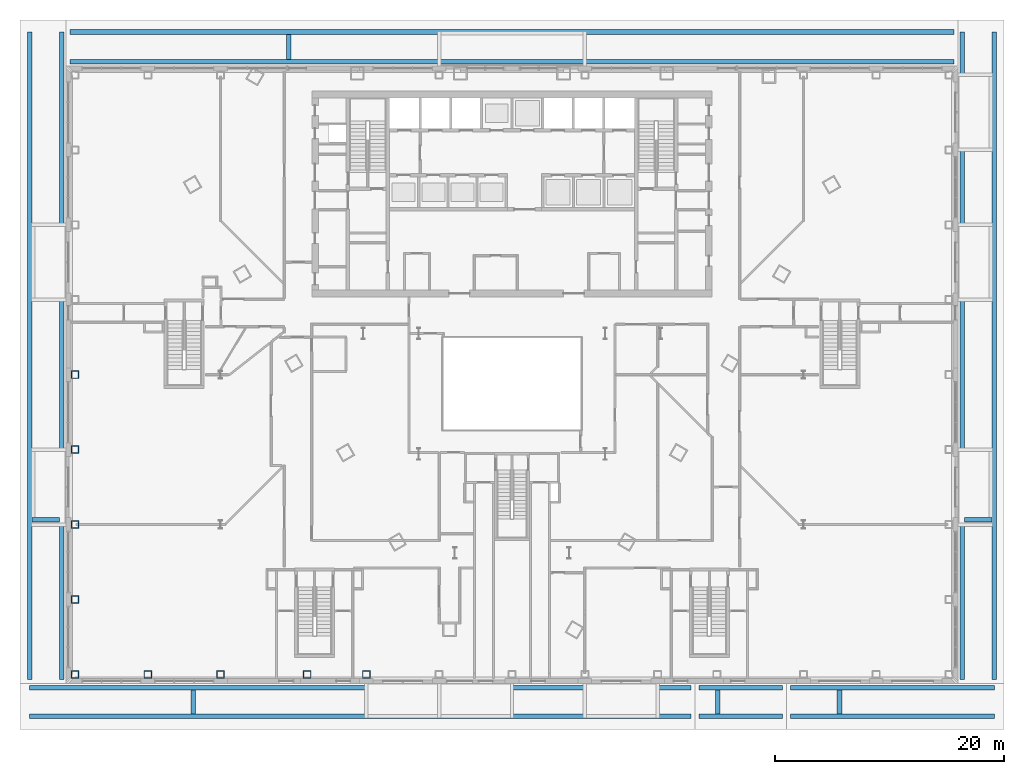
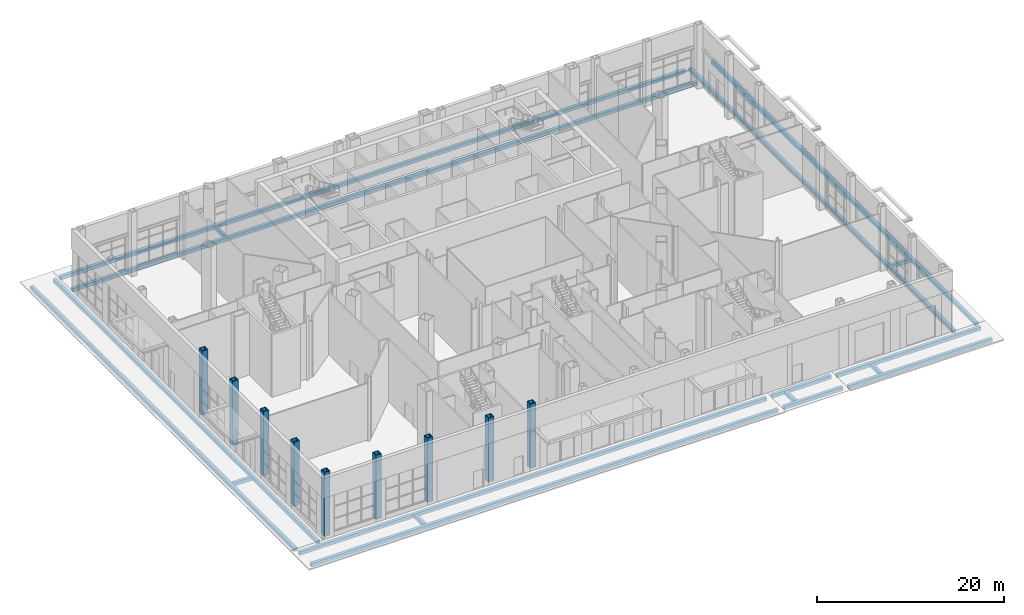
# One storey, part 1 of 34: 18 footings, 9 columns.
"""IFC4 building model written with IfcOpenShell, lengths in metres."""

from ifc_helpers import new_model, si_unit, direction, frame, origin, origin_2d, place, context, subcontext, project, spatial, polyline, hollow_rectangle, outline, extrude, material, layer, layer_set, material_profile, profile_set, type_object, element, save


model = new_model("IFC4")

# Units and contexts
model_context = context("Model", 3, precision=1e-05, world=origin(), true_north=direction((0.0, 1.0)))
body_context = subcontext(model_context, "Body", "Model", "MODEL_VIEW")
ifc_project = project(units=[si_unit("LENGTHUNIT", "METRE"), si_unit("AREAUNIT", "SQUARE_METRE"), si_unit("VOLUMEUNIT", "CUBIC_METRE"), si_unit("PLANEANGLEUNIT", "RADIAN"), si_unit("MASSUNIT", "GRAM", prefix="KILO")], contexts=[model_context])

# Site, building, storey
site_placement = place(None, origin())
site = spatial("IfcSite", under=ifc_project, at=site_placement, CompositionType="ELEMENT")
building_placement = place(site_placement, origin())
building = spatial("IfcBuilding", under=site, at=building_placement, Name="Njiva Tower", CompositionType="ELEMENT")
storey_placement = place(building_placement, origin())
storey = spatial("IfcBuildingStorey", under=building, at=storey_placement, Name="L00", CompositionType="ELEMENT", Elevation=0.0)

# Footings
ifc_material_1 = material(Name="Concrete C30/37", Category="concrete")
ifc_layer = layer(ifc_material_1, 0.45)
ifc_layer_set = layer_set([ifc_layer], Name="Concrete C30/37")
footing_type = type_object("IfcFootingType", Name="FT90 Paving edge beam 400x450", PredefinedType="STRIP_FOOTING", material=ifc_layer_set)
footing_1_placement = place(storey_placement, frame((0.0, 0.0, -0.6)))
element("IfcFooting", 1, at=footing_1_placement, inside=storey, type_object=footing_type, Name="Paving edge beam", PredefinedType="STRIP_FOOTING", context=body_context, shape_type="SweptSolid", body=[
    extrude(outline(polyline([(15.65, -36.85), (15.65, -36.45), (-42.15, -36.45), (-42.15, -36.85), (15.65, -36.85)])), origin(), (0.0, 0.0, 1.0), 0.45),
])
footing_2_placement = place(storey_placement, frame((0.0, 0.0, -0.6)))
element("IfcFooting", 2, at=footing_2_placement, inside=storey, type_object=footing_type, Name="Paving edge beam", PredefinedType="STRIP_FOOTING", context=body_context, shape_type="SweptSolid", body=[
    extrude(outline(polyline([(15.65, -34.35), (15.65, -33.95), (-42.15, -33.95), (-42.15, -34.35), (15.65, -34.35)])), origin(), (0.0, 0.0, 1.0), 0.45),
])
footing_3_placement = place(storey_placement, frame((0.0, 0.0, -0.6)))
element("IfcFooting", 3, at=footing_3_placement, inside=storey, type_object=footing_type, Name="Paving edge beam", PredefinedType="STRIP_FOOTING", context=body_context, shape_type="SweptSolid", body=[
    extrude(outline(polyline([(-27.675, -36.45), (-27.675, -34.35), (-28.075, -34.35), (-28.075, -36.45), (-27.675, -36.45)])), origin(), (0.0, 0.0, 1.0), 0.45),
])
footing_4_placement = place(storey_placement, frame((0.0, 0.0, -0.51)))
element("IfcFooting", 4, at=footing_4_placement, inside=storey, type_object=footing_type, Name="Paving edge beam", PredefinedType="STRIP_FOOTING", context=body_context, shape_type="SweptSolid", body=[
    extrude(outline(polyline([(23.65, -36.85), (23.65, -36.45), (16.35, -36.45), (16.35, -36.85), (23.65, -36.85)])), origin(), (0.0, 0.0, 1.0), 0.45),
])
footing_5_placement = place(storey_placement, frame((0.0, 0.0, -0.51)))
element("IfcFooting", 5, at=footing_5_placement, inside=storey, type_object=footing_type, Name="Paving edge beam", PredefinedType="STRIP_FOOTING", context=body_context, shape_type="SweptSolid", body=[
    extrude(outline(polyline([(23.65, -34.35), (23.65, -33.95), (16.35, -33.95), (16.35, -34.35), (23.65, -34.35)])), origin(), (0.0, 0.0, 1.0), 0.45),
])
footing_6_placement = place(storey_placement, frame((0.0, 0.0, -0.51)))
element("IfcFooting", 6, at=footing_6_placement, inside=storey, type_object=footing_type, Name="Paving edge beam", PredefinedType="STRIP_FOOTING", context=body_context, shape_type="SweptSolid", body=[
    extrude(outline(polyline([(18.2, -36.45), (18.2, -34.35), (17.8, -34.35), (17.8, -36.45), (18.2, -36.45)])), origin(), (0.0, 0.0, 1.0), 0.45),
])
footing_7_placement = place(storey_placement, frame((0.0, 0.0, -0.63)))
element("IfcFooting", 7, at=footing_7_placement, inside=storey, type_object=footing_type, Name="Paving edge beam", PredefinedType="STRIP_FOOTING", context=body_context, shape_type="SweptSolid", body=[
    extrude(outline(polyline([(42.15, -36.85), (42.15, -36.45), (24.35, -36.45), (24.35, -36.85), (42.15, -36.85)])), origin(), (0.0, 0.0, 1.0), 0.45),
])
footing_8_placement = place(storey_placement, frame((0.0, 0.0, -0.63)))
element("IfcFooting", 8, at=footing_8_placement, inside=storey, type_object=footing_type, Name="Paving edge beam", PredefinedType="STRIP_FOOTING", context=body_context, shape_type="SweptSolid", body=[
    extrude(outline(polyline([(42.15, -34.35), (42.15, -33.95), (24.35, -33.95), (24.35, -34.35), (42.15, -34.35)])), origin(), (0.0, 0.0, 1.0), 0.45),
])
footing_9_placement = place(storey_placement, frame((0.0, 0.0, -0.63)))
element("IfcFooting", 9, at=footing_9_placement, inside=storey, type_object=footing_type, Name="Paving edge beam", PredefinedType="STRIP_FOOTING", context=body_context, shape_type="SweptSolid", body=[
    extrude(outline(polyline([(28.825, -36.45), (28.825, -34.35), (28.425, -34.35), (28.425, -36.45), (28.825, -36.45)])), origin(), (0.0, 0.0, 1.0), 0.45),
])
footing_10_placement = place(storey_placement, frame((0.0, 0.0, -0.55)))
element("IfcFooting", 10, at=footing_10_placement, inside=storey, type_object=footing_type, Name="Paving edge beam", PredefinedType="STRIP_FOOTING", context=body_context, shape_type="SweptSolid", body=[
    extrude(outline(polyline([(39.55, -33.45), (39.55, 23.15), (39.15, 23.15), (39.15, -33.45), (39.55, -33.45)])), origin(), (0.0, 0.0, 1.0), 0.45),
])
footing_11_placement = place(storey_placement, frame((0.0, 0.0, -0.55)))
element("IfcFooting", 11, at=footing_11_placement, inside=storey, type_object=footing_type, Name="Paving edge beam", PredefinedType="STRIP_FOOTING", context=body_context, shape_type="SweptSolid", body=[
    extrude(outline(polyline([(42.35, -33.45), (42.35, 23.15), (41.95, 23.15), (41.95, -33.45), (42.35, -33.45)])), origin(), (0.0, 0.0, 1.0), 0.45),
])
footing_12_placement = place(storey_placement, frame((0.0, 0.0, -0.55)))
element("IfcFooting", 12, at=footing_12_placement, inside=storey, type_object=footing_type, Name="Paving edge beam", PredefinedType="STRIP_FOOTING", context=body_context, shape_type="SweptSolid", body=[
    extrude(outline(polyline([(41.95, -19.675), (41.95, -19.275), (39.55, -19.275), (39.55, -19.675), (41.95, -19.675)])), origin(), (0.0, 0.0, 1.0), 0.45),
])
footing_13_placement = place(storey_placement, frame((0.0, 0.0, -0.53)))
element("IfcFooting", 13, at=footing_13_placement, inside=storey, type_object=footing_type, Name="Paving edge beam", PredefinedType="STRIP_FOOTING", context=body_context, shape_type="SweptSolid", body=[
    extrude(outline(polyline([(38.65, 20.35), (38.65, 20.75), (-38.65, 20.75), (-38.65, 20.35), (38.65, 20.35)])), origin(), (0.0, 0.0, 1.0), 0.45),
])
footing_14_placement = place(storey_placement, frame((0.0, 0.0, -0.53)))
element("IfcFooting", 14, at=footing_14_placement, inside=storey, type_object=footing_type, Name="Paving edge beam", PredefinedType="STRIP_FOOTING", context=body_context, shape_type="SweptSolid", body=[
    extrude(outline(polyline([(38.65, 22.95), (38.65, 23.35), (-38.65, 23.35), (-38.65, 22.95), (38.65, 22.95)])), origin(), (0.0, 0.0, 1.0), 0.45),
])
footing_15_placement = place(storey_placement, frame((0.0, 0.0, -0.53)))
element("IfcFooting", 15, at=footing_15_placement, inside=storey, type_object=footing_type, Name="Paving edge beam", PredefinedType="STRIP_FOOTING", context=body_context, shape_type="SweptSolid", body=[
    extrude(outline(polyline([(-19.3, 20.75), (-19.3, 22.95), (-19.7, 22.95), (-19.7, 20.75), (-19.3, 20.75)])), origin(), (0.0, 0.0, 1.0), 0.45),
])
footing_16_placement = place(storey_placement, frame((0.0, 0.0, -0.57)))
element("IfcFooting", 16, at=footing_16_placement, inside=storey, type_object=footing_type, Name="Paving edge beam", PredefinedType="STRIP_FOOTING", context=body_context, shape_type="SweptSolid", body=[
    extrude(outline(polyline([(-41.95, -33.45), (-41.95, 23.15), (-42.35, 23.15), (-42.35, -33.45), (-41.95, -33.45)])), origin(), (0.0, 0.0, 1.0), 0.45),
])
footing_17_placement = place(storey_placement, frame((0.0, 0.0, -0.57)))
element("IfcFooting", 17, at=footing_17_placement, inside=storey, type_object=footing_type, Name="Paving edge beam", PredefinedType="STRIP_FOOTING", context=body_context, shape_type="SweptSolid", body=[
    extrude(outline(polyline([(-39.15, -33.45), (-39.15, 23.15), (-39.55, 23.15), (-39.55, -33.45), (-39.15, -33.45)])), origin(), (0.0, 0.0, 1.0), 0.45),
])
footing_18_placement = place(storey_placement, frame((0.0, 0.0, -0.57)))
element("IfcFooting", 18, at=footing_18_placement, inside=storey, type_object=footing_type, Name="Paving edge beam", PredefinedType="STRIP_FOOTING", context=body_context, shape_type="SweptSolid", body=[
    extrude(outline(polyline([(-39.55, -19.675), (-39.55, -19.275), (-41.95, -19.275), (-41.95, -19.675), (-39.55, -19.675)])), origin(), (0.0, 0.0, 1.0), 0.45),
])

# Columns
ifc_material_2 = material(Name="Steel S355 J2", Category="steel")
ifc_material_profile = material_profile(ifc_material_2, hollow_rectangle(XDim=0.7, YDim=0.7, WallThickness=0.08, at=origin_2d()), Name="BOX 700x700x80")
ifc_profile_set = profile_set([ifc_material_profile], Name="Steel S355 J2")
column_type = type_object("IfcColumnType", Name="C3 Podium perimeter column BOX 700x700x80", PredefinedType="COLUMN", material=ifc_profile_set)
for number, where, z_axis, x_axis, name in (
    (19, (-38.2, -6.8, 0.0), (0.0, 0.0, 1.0), (0.0, -1.0, 0.0), "Podium perimeter column L00-C46"),
    (20, (-38.2, -13.35, 0.0), (0.0, 0.0, 1.0), (0.0, -1.0, 0.0), "Podium perimeter column L00-C47"),
    (21, (-38.2, -19.9, 0.0), (0.0, 0.0, 1.0), (0.0, -1.0, 0.0), "Podium perimeter column L00-C48"),
    (22, (-38.2, -26.45, 0.0), (0.0, 0.0, 1.0), (0.0, -1.0, 0.0), "Podium perimeter column L00-C49"),
    (23, (-38.2, -33.0, 0.0), (0.0, 0.0, 1.0), (1.0, 0.0, 0.0), "Podium perimeter column L00-C50"),
    (24, (-31.833, -33.0, 0.0), (0.0, 0.0, 1.0), (1.0, 0.0, 0.0), "Podium perimeter column L00-C51"),
    (25, (-25.467, -33.0, 0.0), (0.0, 0.0, 1.0), (1.0, 0.0, 0.0), "Podium perimeter column L00-C52"),
    (26, (-17.9, -33.0, 0.0), (0.0, 0.0, 1.0), (1.0, 0.0, 0.0), "Podium perimeter column L00-C53"),
    (27, (-12.733, -33.0, 0.0), (0.0, 0.0, 1.0), (1.0, 0.0, 0.0), "Podium perimeter column L00-C54"),
):
    element("IfcColumn", number, at=place(storey_placement, frame(where, z_axis=z_axis, x_axis=x_axis)), inside=storey, type_object=column_type, Name=name, PredefinedType="COLUMN", context=body_context, shape_type="SweptSolid", body=[
        extrude(hollow_rectangle(XDim=0.7, YDim=0.7, WallThickness=0.08, at=origin_2d()), origin(), (0.0, 0.0, 1.0), 8.4),
    ])

save(model, "model.ifc")
